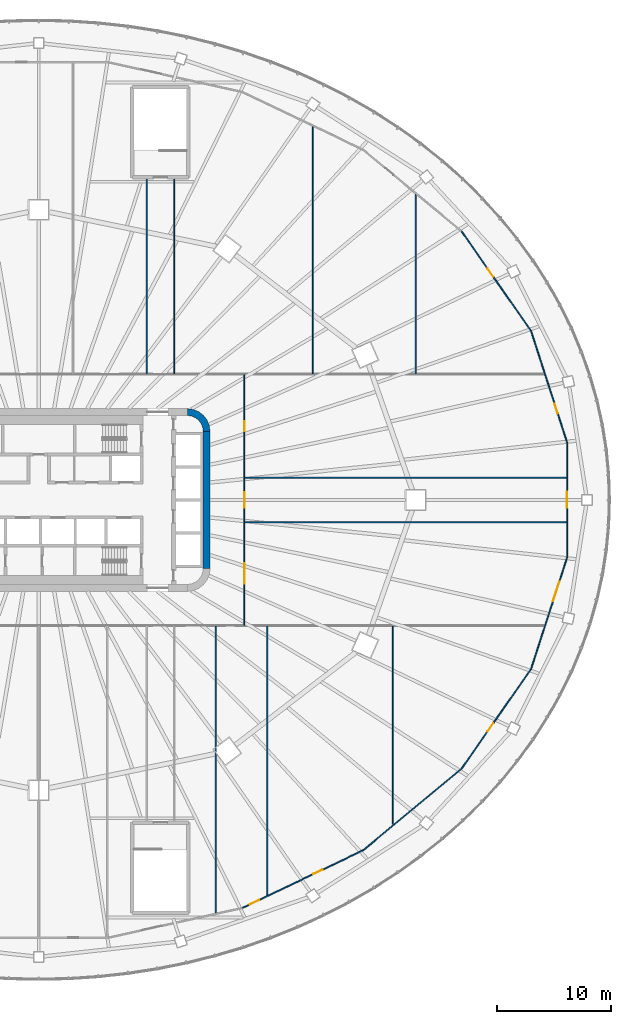
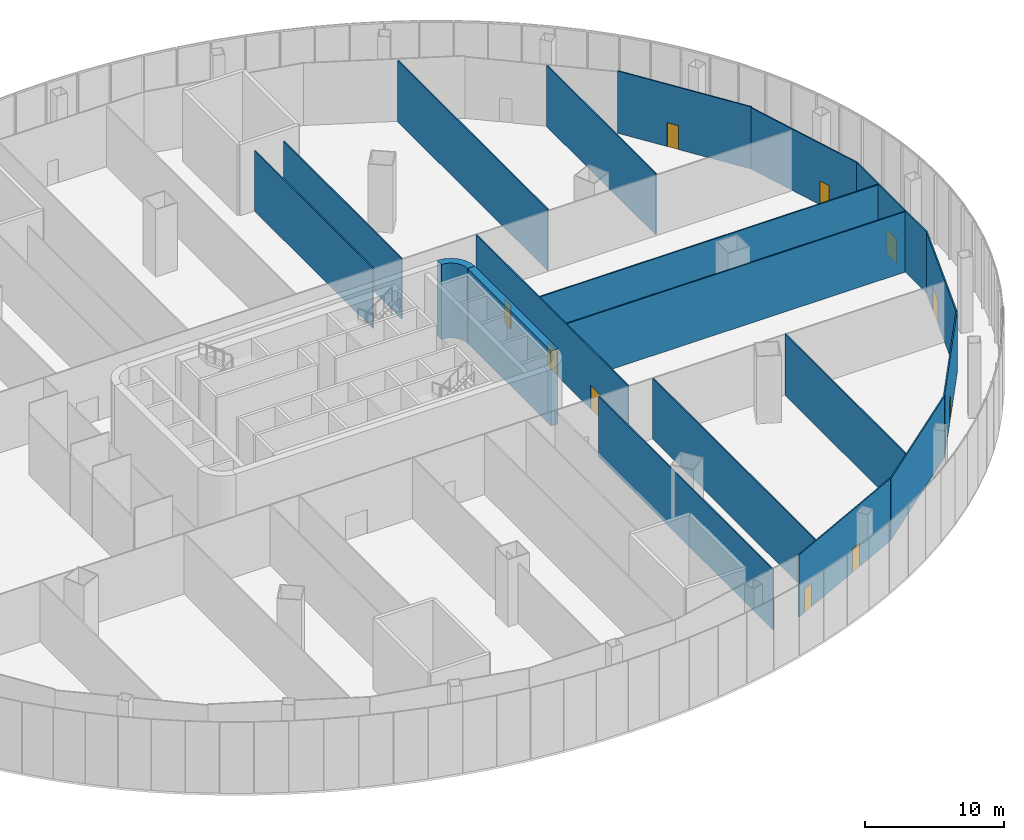
# One storey, part 25 of 33: 19 walls, 10 doors, 10 openings.
"""IFC4 building model written with IfcOpenShell, lengths in metres."""

from ifc_helpers import new_model, si_unit, direction, frame, frame_2d, origin, place, context, subcontext, project, spatial, polyline, rectangle, outline, extrude, material, layer, layer_set, type_object, element, fill, save


model = new_model("IFC4")

# Units and contexts
model_context = context("Model", 3, precision=1e-05, world=origin(), true_north=direction((0.0, 1.0)))
body_context = subcontext(model_context, "Body", "Model", "MODEL_VIEW")
ifc_project = project(units=[si_unit("LENGTHUNIT", "METRE"), si_unit("AREAUNIT", "SQUARE_METRE"), si_unit("VOLUMEUNIT", "CUBIC_METRE"), si_unit("PLANEANGLEUNIT", "RADIAN"), si_unit("MASSUNIT", "GRAM", prefix="KILO")], contexts=[model_context])

# Site, building, storey
site_placement = place(None, origin())
site = spatial("IfcSite", under=ifc_project, at=site_placement, CompositionType="ELEMENT")
building_placement = place(site_placement, origin())
building = spatial("IfcBuilding", under=site, at=building_placement, Name="Sahrelin Media Tower", CompositionType="ELEMENT")
storey_placement = place(building_placement, frame((0.0, 0.0, 37.39990234375)))
storey = spatial("IfcBuildingStorey", under=building, at=storey_placement, Name="L05", CompositionType="ELEMENT", Elevation=37.39990234375)

# Walls
ifc_material_1 = material(Name="Concrete C60/75", Category="concrete")
ifc_layer_1 = layer(ifc_material_1, 0.60009765625)
ifc_layer_set_1 = layer_set([ifc_layer_1], Name="Core wall 600")
wall_type_1 = type_object("IfcWallType", Name="Core wall 600", PredefinedType="SHEAR", material=ifc_layer_set_1)
wall_1_placement = place(storey_placement, frame((14.699951171875, -6.0, 0.0), z_axis=(0.0, 0.0, 1.0), x_axis=(0.0, 1.0, 0.0)))
element("IfcWall", 1, at=wall_1_placement, inside=storey, type_object=wall_type_1, Name="Core wall E L05", PredefinedType="SHEAR", context=body_context, shape_type="SweptSolid", body=[
    extrude(rectangle(XDim=12.0, YDim=0.60009765625, at=frame_2d((6.0, 0.0))), origin(), (0.0, 0.0, 1.0), 6.60009765625),
])
wall_2_placement = place(storey_placement, origin())
element("IfcWall", 2, at=wall_2_placement, inside=storey, type_object=wall_type_1, Name="Core wall corner NE L05", PredefinedType="SHEAR", context=body_context, shape_type="SweptSolid", body=[
    extrude(outline(polyline([(13.0, 8.0), (13.0, 7.394775390625), (13.361083984375, 7.347412109375), (13.697509765625, 7.2080078125), (13.986328125, 6.986328125), (14.2080078125, 6.697509765625), (14.347412109375, 6.361083984375), (14.394775390625, 6.0), (15.0, 6.0), (14.931884765625, 6.517578125), (14.732177734375, 7.0), (14.414306640625, 7.414306640625), (14.0, 7.732177734375), (13.517578125, 7.931884765625), (13.0, 8.0)])), origin(), (0.0, 0.0, 1.0), 6.60009765625),
])

# Wall, opening, door
ifc_material_2 = material(Name="Gypsum board partition")
ifc_layer_2 = layer(ifc_material_2, 0.10009765625)
ifc_layer_set_2 = layer_set([ifc_layer_2], Name="Partition 100")
wall_type_2 = type_object("IfcWallType", Name="Partition 100", PredefinedType="PARTITIONING", material=ifc_layer_set_2)
wall_3_placement = place(storey_placement, frame((46.2509765625, 5.044921875, 0.0), z_axis=(0.0, 0.0, 1.0), x_axis=(-0.307713034182, 0.951479210805, 0.0)))
wall_3 = element("IfcWall", 3, at=wall_3_placement, inside=storey, type_object=wall_type_2, Name="Wall", PredefinedType="PARTITIONING", context=body_context, shape_type="SweptSolid", body=[
    extrude(rectangle(XDim=10.242919921875, YDim=0.10009765625, at=frame_2d((5.12158203125, 0.0))), origin(), (0.0, 0.0, 1.0), 5.39501953125),
])
opening_1_placement = place(wall_3_placement, frame((2.64990234375, 0.0, 0.0)))
opening_1 = element("IfcOpeningElement", 4, at=opening_1_placement, cuts=wall_3, Name="Opening L05-D50", PredefinedType="OPENING", context=body_context, shape_type="SweptSolid", body=[
    extrude(rectangle(XDim=0.89990234375, YDim=2.10009765625, at=frame_2d((0.449951171875, 1.050048828125))), frame((0.0, 0.050048828125, 0.0), z_axis=(0.0, -1.0, 0.0), x_axis=(1.0, 0.0, 0.0)), (0.0, 0.0, 1.0), 0.10009765625),
])
ifc_material_3 = material(Name="Timber door leaf", Category="wood")
door_type_1 = type_object("IfcDoorType", Name="Single door 900 x 2100", OperationType="NOTDEFINED", PredefinedType="DOOR", material=ifc_material_3)
door_1_placement = place(opening_1_placement, origin())
door_1 = element("IfcDoor", 5, at=door_1_placement, inside=storey, type_object=door_type_1, Name="Single door", OperationType="SINGLE_SWING_LEFT", OverallHeight=2.10009765625, OverallWidth=0.89990234375, PredefinedType="DOOR", context=body_context, shape_type="SweptSolid", body=[
    extrude(rectangle(XDim=0.89990234375, YDim=2.10009765625, at=frame_2d((0.449951171875, 1.050048828125))), frame((0.0, 0.02490234375, 0.0), z_axis=(0.0, -1.0, 0.0), x_axis=(1.0, 0.0, 0.0)), (0.0, 0.0, 1.0), 0.050048828125),
])
fill(opening_1, door_1)

wall_4_placement = place(storey_placement, frame((43.09912109375, 14.790771484375, 0.0), z_axis=(0.0, 0.0, 1.0), x_axis=(-0.571737958261, 0.820436290692, 0.0)))
wall_4 = element("IfcWall", 6, at=wall_4_placement, inside=storey, type_object=wall_type_2, Name="Wall", PredefinedType="PARTITIONING", context=body_context, shape_type="SweptSolid", body=[
    extrude(rectangle(XDim=10.650146484375, YDim=0.10009765625, at=frame_2d((5.3251953125, 0.0))), origin(), (0.0, 0.0, 1.0), 5.47607421875),
])
opening_2_placement = place(wall_4_placement, frame((5.7900390625, 0.0, 0.0)))
opening_2 = element("IfcOpeningElement", 7, at=opening_2_placement, cuts=wall_4, Name="Opening L05-D34", PredefinedType="OPENING", context=body_context, shape_type="SweptSolid", body=[
    extrude(rectangle(XDim=0.89990234375, YDim=2.10009765625, at=frame_2d((0.449951171875, 1.050048828125))), frame((0.0, 0.050048828125, 0.0), z_axis=(0.0, -1.0, 0.0), x_axis=(1.0, 0.0, 0.0)), (0.0, 0.0, 1.0), 0.10009765625),
])
door_2_placement = place(opening_2_placement, origin())
door_2 = element("IfcDoor", 8, at=door_2_placement, inside=storey, type_object=door_type_1, Name="Single door", OperationType="SINGLE_SWING_RIGHT", OverallHeight=2.10009765625, OverallWidth=0.89990234375, PredefinedType="DOOR", context=body_context, shape_type="SweptSolid", body=[
    extrude(rectangle(XDim=0.89990234375, YDim=2.10009765625, at=frame_2d((0.449951171875, 1.050048828125))), frame((0.0, 0.02490234375, 0.0), z_axis=(0.0, -1.0, 0.0), x_axis=(1.0, 0.0, 0.0)), (0.0, 0.0, 1.0), 0.050048828125),
])
fill(opening_2, door_2)

# Wall, openings, doors
wall_5_placement = place(storey_placement, frame((17.852294921875, -35.7080078125, 0.0), z_axis=(0.0, 0.0, 1.0), x_axis=(0.902100999032, 0.431524955878, 0.0)))
wall_5 = element("IfcWall", 9, at=wall_5_placement, inside=storey, type_object=wall_type_2, Name="Wall", PredefinedType="PARTITIONING", context=body_context, shape_type="SweptSolid", body=[
    extrude(rectangle(XDim=11.69091796875, YDim=0.10009765625, at=frame_2d((5.845458984375, 0.0))), origin(), (0.0, 0.0, 1.0), 5.47607421875),
])
opening_3_placement = place(wall_5_placement, frame((0.699951171875, 0.0, 0.0)))
opening_3 = element("IfcOpeningElement", 10, at=opening_3_placement, cuts=wall_5, Name="Opening L05-D44", PredefinedType="OPENING", context=body_context, shape_type="SweptSolid", body=[
    extrude(rectangle(XDim=0.89990234375, YDim=2.10009765625, at=frame_2d((0.449951171875, 1.050048828125))), frame((0.0, 0.050048828125, 0.0), z_axis=(0.0, -1.0, 0.0), x_axis=(1.0, 0.0, 0.0)), (0.0, 0.0, 1.0), 0.10009765625),
])
opening_4_placement = place(wall_5_placement, frame((6.837890625, 0.0, 0.0)))
opening_4 = element("IfcOpeningElement", 11, at=opening_4_placement, cuts=wall_5, Name="Opening L05-D45", PredefinedType="OPENING", context=body_context, shape_type="SweptSolid", body=[
    extrude(rectangle(XDim=0.89990234375, YDim=2.10009765625, at=frame_2d((0.449951171875, 1.050048828125))), frame((0.0, 0.050048828125, 0.0), z_axis=(0.0, -1.0, 0.0), x_axis=(1.0, 0.0, 0.0)), (0.0, 0.0, 1.0), 0.10009765625),
])
door_3_placement = place(opening_3_placement, origin())
door_3 = element("IfcDoor", 12, at=door_3_placement, inside=storey, type_object=door_type_1, Name="Single door", OperationType="SINGLE_SWING_LEFT", OverallHeight=2.10009765625, OverallWidth=0.89990234375, PredefinedType="DOOR", context=body_context, shape_type="SweptSolid", body=[
    extrude(rectangle(XDim=0.89990234375, YDim=2.10009765625, at=frame_2d((0.449951171875, 1.050048828125))), frame((0.0, 0.02490234375, 0.0), z_axis=(0.0, -1.0, 0.0), x_axis=(1.0, 0.0, 0.0)), (0.0, 0.0, 1.0), 0.050048828125),
])
fill(opening_3, door_3)
door_4_placement = place(opening_4_placement, origin())
door_4 = element("IfcDoor", 13, at=door_4_placement, inside=storey, type_object=door_type_1, Name="Single door", OperationType="SINGLE_SWING_RIGHT", OverallHeight=2.10009765625, OverallWidth=0.89990234375, PredefinedType="DOOR", context=body_context, shape_type="SweptSolid", body=[
    extrude(rectangle(XDim=0.89990234375, YDim=2.10009765625, at=frame_2d((0.449951171875, 1.050048828125))), frame((0.0, 0.02490234375, 0.0), z_axis=(0.0, -1.0, 0.0), x_axis=(1.0, 0.0, 0.0)), (0.0, 0.0, 1.0), 0.050048828125),
])
fill(opening_4, door_4)

# Wall
wall_6_placement = place(storey_placement, frame((28.398681640625, -30.6630859375, 0.0), z_axis=(0.0, 0.0, 1.0), x_axis=(0.770046995363, 0.637987166746, 0.0)))
element("IfcWall", 14, at=wall_6_placement, inside=storey, type_object=wall_type_2, Name="Wall", PredefinedType="PARTITIONING", context=body_context, shape_type="SweptSolid", body=[
    extrude(rectangle(XDim=11.182861328125, YDim=0.10009765625, at=frame_2d((5.59130859375, 0.0))), origin(), (0.0, 0.0, 1.0), 5.39501953125),
])

# Wall, opening, door
wall_7_placement = place(storey_placement, frame((37.010009765625, -23.528564453125, 0.0), z_axis=(0.0, 0.0, 1.0), x_axis=(0.571737958261, 0.820436290692, 0.0)))
wall_7 = element("IfcWall", 15, at=wall_7_placement, inside=storey, type_object=wall_type_2, Name="Wall", PredefinedType="PARTITIONING", context=body_context, shape_type="SweptSolid", body=[
    extrude(rectangle(XDim=10.650146484375, YDim=0.10009765625, at=frame_2d((5.3251953125, 0.0))), origin(), (0.0, 0.0, 1.0), 5.47607421875),
])
opening_5_placement = place(wall_7_placement, frame((3.9599609375, 0.0, 0.0)))
opening_5 = element("IfcOpeningElement", 16, at=opening_5_placement, cuts=wall_7, Name="Opening L05-D46", PredefinedType="OPENING", context=body_context, shape_type="SweptSolid", body=[
    extrude(rectangle(XDim=0.89990234375, YDim=2.10009765625, at=frame_2d((0.449951171875, 1.050048828125))), frame((0.0, 0.050048828125, 0.0), z_axis=(0.0, -1.0, 0.0), x_axis=(1.0, 0.0, 0.0)), (0.0, 0.0, 1.0), 0.10009765625),
])
door_5_placement = place(opening_5_placement, origin())
door_5 = element("IfcDoor", 17, at=door_5_placement, inside=storey, type_object=door_type_1, Name="Single door", OperationType="SINGLE_SWING_LEFT", OverallHeight=2.10009765625, OverallWidth=0.89990234375, PredefinedType="DOOR", context=body_context, shape_type="SweptSolid", body=[
    extrude(rectangle(XDim=0.89990234375, YDim=2.10009765625, at=frame_2d((0.449951171875, 1.050048828125))), frame((0.0, 0.02490234375, 0.0), z_axis=(0.0, -1.0, 0.0), x_axis=(1.0, 0.0, 0.0)), (0.0, 0.0, 1.0), 0.050048828125),
])
fill(opening_5, door_5)

wall_8_placement = place(storey_placement, frame((43.09912109375, -14.790771484375, 0.0), z_axis=(0.0, 0.0, 1.0), x_axis=(0.307713034182, 0.951479210805, 0.0)))
wall_8 = element("IfcWall", 18, at=wall_8_placement, inside=storey, type_object=wall_type_2, Name="Wall", PredefinedType="PARTITIONING", context=body_context, shape_type="SweptSolid", body=[
    extrude(rectangle(XDim=10.242919921875, YDim=0.10009765625, at=frame_2d((5.12158203125, 0.0))), origin(), (0.0, 0.0, 1.0), 5.39501953125),
])
opening_6_placement = place(wall_8_placement, frame((6.220947265625, 0.0, 0.0)))
opening_6 = element("IfcOpeningElement", 19, at=opening_6_placement, cuts=wall_8, Name="Opening L05-D48", PredefinedType="OPENING", context=body_context, shape_type="SweptSolid", body=[
    extrude(rectangle(XDim=1.800048828125, YDim=2.10009765625, at=frame_2d((0.89990234375, 1.050048828125))), frame((0.0, 0.050048828125, 0.0), z_axis=(0.0, -1.0, 0.0), x_axis=(1.0, 0.0, 0.0)), (0.0, 0.0, 1.0), 0.10009765625),
])
door_type_2 = type_object("IfcDoorType", Name="Double door 1800 x 2100", OperationType="DOUBLE_DOOR_SINGLE_SWING", PredefinedType="DOOR", material=ifc_material_3)
door_6_placement = place(opening_6_placement, origin())
door_6 = element("IfcDoor", 20, at=door_6_placement, inside=storey, type_object=door_type_2, Name="Double door", OperationType="DOUBLE_DOOR_SINGLE_SWING", OverallHeight=2.10009765625, OverallWidth=1.800048828125, PredefinedType="DOOR", context=body_context, shape_type="SweptSolid", body=[
    extrude(rectangle(XDim=1.800048828125, YDim=2.10009765625, at=frame_2d((0.89990234375, 1.050048828125))), frame((0.0, 0.02490234375, 0.0), z_axis=(0.0, -1.0, 0.0), x_axis=(1.0, 0.0, 0.0)), (0.0, 0.0, 1.0), 0.050048828125),
])
fill(opening_6, door_6)

wall_9_placement = place(storey_placement, frame((46.2509765625, -5.044921875, 0.0), z_axis=(0.0, 0.0, 1.0), x_axis=(0.0, 1.0, 0.0)))
wall_9 = element("IfcWall", 21, at=wall_9_placement, inside=storey, type_object=wall_type_2, Name="Wall", PredefinedType="PARTITIONING", context=body_context, shape_type="SweptSolid", body=[
    extrude(rectangle(XDim=10.08984375, YDim=0.10009765625, at=frame_2d((5.044921875, 0.0))), origin(), (0.0, 0.0, 1.0), 5.39501953125),
])
opening_7_placement = place(wall_9_placement, frame((4.35009765625, 0.0, 0.0)))
opening_7 = element("IfcOpeningElement", 22, at=opening_7_placement, cuts=wall_9, Name="Opening L05-D24", PredefinedType="OPENING", context=body_context, shape_type="SweptSolid", body=[
    extrude(rectangle(XDim=1.39990234375, YDim=2.10009765625, at=frame_2d((0.699951171875, 1.050048828125))), frame((0.0, 0.050048828125, 0.0), z_axis=(0.0, -1.0, 0.0), x_axis=(1.0, 0.0, 0.0)), (0.0, 0.0, 1.0), 0.10009765625),
])
door_type_3 = type_object("IfcDoorType", Name="Single door 1400 x 2100", OperationType="NOTDEFINED", PredefinedType="DOOR", material=ifc_material_3)
door_7_placement = place(opening_7_placement, origin())
door_7 = element("IfcDoor", 23, at=door_7_placement, inside=storey, type_object=door_type_3, Name="Single door", OperationType="SINGLE_SWING_RIGHT", OverallHeight=2.10009765625, OverallWidth=1.39990234375, PredefinedType="DOOR", context=body_context, shape_type="SweptSolid", body=[
    extrude(rectangle(XDim=1.39990234375, YDim=2.10009765625, at=frame_2d((0.699951171875, 1.050048828125))), frame((0.0, 0.02490234375, 0.0), z_axis=(0.0, -1.0, 0.0), x_axis=(1.0, 0.0, 0.0)), (0.0, 0.0, 1.0), 0.050048828125),
])
fill(opening_7, door_7)

# Wall, openings, doors
wall_10_placement = place(storey_placement, frame((18.0, -10.949951171875, 0.0), z_axis=(0.0, 0.0, 1.0), x_axis=(0.0, 1.0, 0.0)))
wall_10 = element("IfcWall", 24, at=wall_10_placement, inside=storey, type_object=wall_type_2, Name="Wall", PredefinedType="PARTITIONING", context=body_context, shape_type="SweptSolid", body=[
    extrude(rectangle(XDim=21.89990234375, YDim=0.10009765625, at=frame_2d((10.949951171875, 0.0))), origin(), (0.0, 0.0, 1.0), 5.318359375),
])
opening_8_placement = place(wall_10_placement, frame((10.25, 0.0, 0.0)))
opening_8 = element("IfcOpeningElement", 25, at=opening_8_placement, cuts=wall_10, Name="Opening L05-D23", PredefinedType="OPENING", context=body_context, shape_type="SweptSolid", body=[
    extrude(rectangle(XDim=1.39990234375, YDim=2.10009765625, at=frame_2d((0.699951171875, 1.050048828125))), frame((0.0, 0.050048828125, 0.0), z_axis=(0.0, -1.0, 0.0), x_axis=(1.0, 0.0, 0.0)), (0.0, 0.0, 1.0), 0.10009765625),
])
opening_9_placement = place(wall_10_placement, frame((3.60009765625, 0.0, 0.0)))
opening_9 = element("IfcOpeningElement", 26, at=opening_9_placement, cuts=wall_10, Name="Opening L05-D47", PredefinedType="OPENING", context=body_context, shape_type="SweptSolid", body=[
    extrude(rectangle(XDim=1.800048828125, YDim=2.10009765625, at=frame_2d((0.89990234375, 1.050048828125))), frame((0.0, 0.050048828125, 0.0), z_axis=(0.0, -1.0, 0.0), x_axis=(1.0, 0.0, 0.0)), (0.0, 0.0, 1.0), 0.10009765625),
])
opening_10_placement = place(wall_10_placement, frame((16.949951171875, 0.0, 0.0)))
opening_10 = element("IfcOpeningElement", 27, at=opening_10_placement, cuts=wall_10, Name="Opening L05-D49", PredefinedType="OPENING", context=body_context, shape_type="SweptSolid", body=[
    extrude(rectangle(XDim=0.89990234375, YDim=2.10009765625, at=frame_2d((0.449951171875, 1.050048828125))), frame((0.0, 0.050048828125, 0.0), z_axis=(0.0, -1.0, 0.0), x_axis=(1.0, 0.0, 0.0)), (0.0, 0.0, 1.0), 0.10009765625),
])
door_8_placement = place(opening_9_placement, origin())
door_8 = element("IfcDoor", 28, at=door_8_placement, inside=storey, type_object=door_type_2, Name="Double door", OperationType="DOUBLE_DOOR_SINGLE_SWING", OverallHeight=2.10009765625, OverallWidth=1.800048828125, PredefinedType="DOOR", context=body_context, shape_type="SweptSolid", body=[
    extrude(rectangle(XDim=1.800048828125, YDim=2.10009765625, at=frame_2d((0.89990234375, 1.050048828125))), frame((0.0, 0.02490234375, 0.0), z_axis=(0.0, -1.0, 0.0), x_axis=(1.0, 0.0, 0.0)), (0.0, 0.0, 1.0), 0.050048828125),
])
fill(opening_9, door_8)
door_9_placement = place(opening_8_placement, origin())
door_9 = element("IfcDoor", 29, at=door_9_placement, inside=storey, type_object=door_type_3, Name="Single door", OperationType="SINGLE_SWING_RIGHT", OverallHeight=2.10009765625, OverallWidth=1.39990234375, PredefinedType="DOOR", context=body_context, shape_type="SweptSolid", body=[
    extrude(rectangle(XDim=1.39990234375, YDim=2.10009765625, at=frame_2d((0.699951171875, 1.050048828125))), frame((0.0, 0.02490234375, 0.0), z_axis=(0.0, -1.0, 0.0), x_axis=(1.0, 0.0, 0.0)), (0.0, 0.0, 1.0), 0.050048828125),
])
fill(opening_8, door_9)
door_10_placement = place(opening_10_placement, origin())
door_10 = element("IfcDoor", 30, at=door_10_placement, inside=storey, type_object=door_type_1, Name="Single door", OperationType="SINGLE_SWING_RIGHT", OverallHeight=2.10009765625, OverallWidth=0.89990234375, PredefinedType="DOOR", context=body_context, shape_type="SweptSolid", body=[
    extrude(rectangle(XDim=0.89990234375, YDim=2.10009765625, at=frame_2d((0.449951171875, 1.050048828125))), frame((0.0, 0.02490234375, 0.0), z_axis=(0.0, -1.0, 0.0), x_axis=(1.0, 0.0, 0.0)), (0.0, 0.0, 1.0), 0.050048828125),
])
fill(opening_10, door_10)

# Walls
wall_11_placement = place(storey_placement, frame((24.0, 11.050048828125, 0.0), z_axis=(0.0, 0.0, 1.0), x_axis=(0.0, 1.0, 0.0)))
element("IfcWall", 31, at=wall_11_placement, inside=storey, type_object=wall_type_2, Name="Wall", PredefinedType="PARTITIONING", context=body_context, shape_type="SweptSolid", body=[
    extrude(rectangle(XDim=21.637939453125, YDim=0.10009765625, at=frame_2d((10.81884765625, 0.0))), origin(), (0.0, 0.0, 1.0), 5.39501953125),
])
wall_12_placement = place(storey_placement, frame((33.0, 11.050048828125, 0.0), z_axis=(0.0, 0.0, 1.0), x_axis=(0.0, 1.0, 0.0)))
element("IfcWall", 32, at=wall_12_placement, inside=storey, type_object=wall_type_2, Name="Wall", PredefinedType="PARTITIONING", context=body_context, shape_type="SweptSolid", body=[
    extrude(rectangle(XDim=15.6943359375, YDim=0.10009765625, at=frame_2d((7.84716796875, 0.0))), origin(), (0.0, 0.0, 1.0), 5.39501953125),
])
wall_13_placement = place(storey_placement, frame((15.5, -11.050048828125, 0.0), z_axis=(0.0, 0.0, 1.0), x_axis=(0.0, -1.0, 0.0)))
element("IfcWall", 33, at=wall_13_placement, inside=storey, type_object=wall_type_2, Name="Wall", PredefinedType="PARTITIONING", context=body_context, shape_type="SweptSolid", body=[
    extrude(rectangle(XDim=25.11767578125, YDim=0.10009765625, at=frame_2d((12.558837890625, 0.0))), origin(), (0.0, 0.0, 1.0), 5.318359375),
])
wall_14_placement = place(storey_placement, frame((20.0, -11.050048828125, 0.0), z_axis=(0.0, 0.0, 1.0), x_axis=(0.0, -1.0, 0.0)))
element("IfcWall", 34, at=wall_14_placement, inside=storey, type_object=wall_type_2, Name="Wall", PredefinedType="PARTITIONING", context=body_context, shape_type="SweptSolid", body=[
    extrude(rectangle(XDim=23.55126953125, YDim=0.10009765625, at=frame_2d((11.775634765625, 0.0))), origin(), (0.0, 0.0, 1.0), 5.3271484375),
])
wall_15_placement = place(storey_placement, frame((31.0, -11.050048828125, 0.0), z_axis=(0.0, 0.0, 1.0), x_axis=(0.0, -1.0, 0.0)))
element("IfcWall", 35, at=wall_15_placement, inside=storey, type_object=wall_type_2, Name="Wall", PredefinedType="PARTITIONING", context=body_context, shape_type="SweptSolid", body=[
    extrude(rectangle(XDim=17.3515625, YDim=0.10009765625, at=frame_2d((8.67578125, 0.0))), origin(), (0.0, 0.0, 1.0), 5.39501953125),
])
for number, where, z_axis, x_axis, name in (
    (36, (18.050048828125, -1.949951171875, 0.0), (0.0, 0.0, 1.0), (1.0, 0.0, 0.0), "Wall"),
    (37, (18.050048828125, 1.949951171875, 0.0), (0.0, 0.0, 1.0), (1.0, 0.0, 0.0), "Wall"),
):
    element("IfcWall", number, at=place(storey_placement, frame(where, z_axis=z_axis, x_axis=x_axis)), inside=storey, type_object=wall_type_2, Name=name, PredefinedType="PARTITIONING", context=body_context, shape_type="SweptSolid", body=[
        extrude(rectangle(XDim=28.15087890625, YDim=0.10009765625, at=frame_2d((14.075439453125, 0.0))), origin(), (0.0, 0.0, 1.0), 5.318359375),
    ])
for number, where, z_axis, x_axis, name in (
    (38, (9.449951171875, 11.050048828125, 0.0), (0.0, 0.0, 1.0), (0.0, 1.0, 0.0), "Wall"),
    (39, (11.85009765625, 11.050048828125, 0.0), (0.0, 0.0, 1.0), (0.0, 1.0, 0.0), "Wall"),
):
    element("IfcWall", number, at=place(storey_placement, frame(where, z_axis=z_axis, x_axis=x_axis)), inside=storey, type_object=wall_type_2, Name=name, PredefinedType="PARTITIONING", context=body_context, shape_type="SweptSolid", body=[
        extrude(rectangle(XDim=17.050048828125, YDim=0.10009765625, at=frame_2d((8.52490234375, 0.0))), origin(), (0.0, 0.0, 1.0), 5.318359375),
    ])

save(model, "model.ifc")
